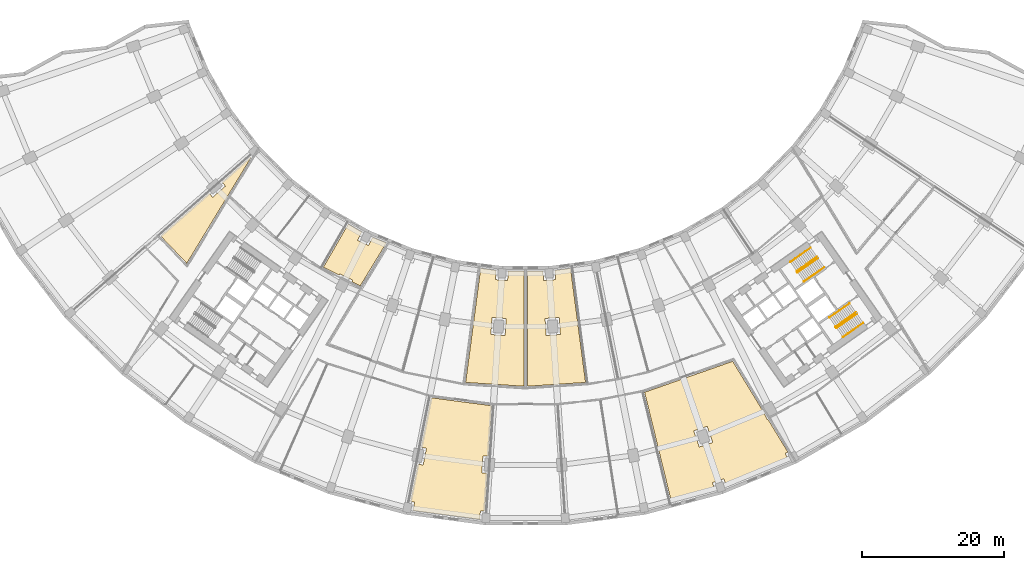
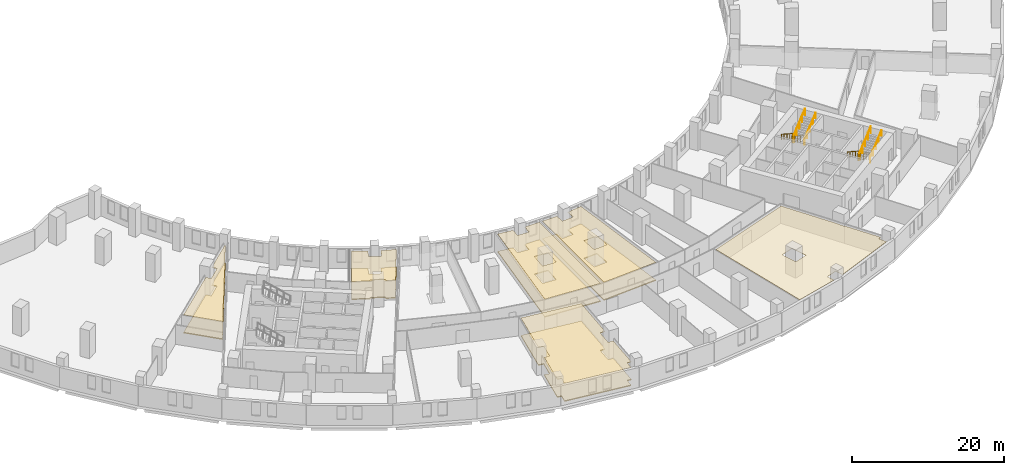
# One storey, part 18 of 20: 11 coverings, 8 railings.
"""IFC4 building model written with IfcOpenShell, lengths in metres."""

from ifc_helpers import new_model, si_unit, direction, frame, origin, origin_2d, place, context, subcontext, project, spatial, polyline, circle, outline, extrude, material, layer, layer_set, type_object, element, save


model = new_model("IFC4")

# Units and contexts
model_context = context("Model", 3, precision=1e-05, world=origin(), true_north=direction((0.0, 1.0)))
body_context = subcontext(model_context, "Body", "Model", "MODEL_VIEW")
ifc_project = project(units=[si_unit("LENGTHUNIT", "METRE"), si_unit("AREAUNIT", "SQUARE_METRE"), si_unit("VOLUMEUNIT", "CUBIC_METRE"), si_unit("PLANEANGLEUNIT", "RADIAN"), si_unit("MASSUNIT", "GRAM", prefix="KILO")], contexts=[model_context])

# Site, building, storey
site_placement = place(None, origin())
site = spatial("IfcSite", under=ifc_project, at=site_placement, CompositionType="ELEMENT")
building_placement = place(site_placement, origin())
building = spatial("IfcBuilding", under=site, at=building_placement, Name="Qamariyya Broadcast Tower", CompositionType="ELEMENT")
storey_placement = place(building_placement, frame((0.0, 0.0, 27.0)))
storey = spatial("IfcBuildingStorey", under=building, at=storey_placement, Name="L03", CompositionType="ELEMENT", Elevation=27.0)

# Coverings
ifc_material_1 = material(Name="Raised access floor")
ifc_layer_1 = layer(ifc_material_1, 0.14990234375)
ifc_layer_set_1 = layer_set([ifc_layer_1], Name="Raised access floor 150")
covering_type_1 = type_object("IfcCoveringType", Name="Raised access floor 150", PredefinedType="FLOORING", material=ifc_layer_set_1)
covering_1_placement = place(storey_placement, origin())
element("IfcCovering", 1, at=covering_1_placement, inside=storey, type_object=covering_type_1, Name="Flooring L03-F01", PredefinedType="FLOORING", context=body_context, shape_type="SweptSolid", body=[
    extrude(outline(polyline([(-5.256103515625, -76.36962890625), (-6.00439453125, -76.32080078125), (-6.161376953125, -78.715576171875), (-5.4130859375, -78.7646484375), (-5.762939453125, -84.103271484375), (-6.361572265625, -84.06396484375), (-6.439697265625, -85.254150390625), (-15.84521484375, -84.015869140625), (-15.612548828125, -82.845947265625), (-16.200927734375, -82.72900390625), (-15.1572265625, -77.481689453125), (-14.421630859375, -77.628173828125), (-13.953369140625, -75.274169921875), (-14.68896484375, -75.1279296875), (-13.30078125, -68.148681640625), (-4.790771484375, -69.26904296875), (-5.256103515625, -76.36962890625)])), origin(), (0.0, 0.0, 1.0), 0.14990234375),
])
covering_2_placement = place(storey_placement, origin())
element("IfcCovering", 2, at=covering_2_placement, inside=storey, type_object=covering_type_1, Name="Flooring L03-F03", PredefinedType="FLOORING", context=body_context, shape_type="SweptSolid", body=[
    extrude(outline(polyline([(-6.3232421875, -49.9453125), (-4.144287109375, -50.232177734375), (-4.2294921875, -51.53369140625), (-2.533203125, -51.64501953125), (-2.44775390625, -50.343505859375), (-0.25, -50.343505859375), (-0.25, -66.532958984375), (-8.4365234375, -65.99658203125), (-6.3232421875, -49.9453125)]), holes=[polyline([(-4.72900390625, -56.862548828125), (-4.885986328125, -59.25732421875), (-2.890380859375, -59.38818359375), (-2.7333984375, -56.9931640625), (-4.72900390625, -56.862548828125)])]), origin(), (0.0, 0.0, 1.0), 0.14990234375),
])
covering_3_placement = place(storey_placement, origin())
element("IfcCovering", 3, at=covering_3_placement, inside=storey, type_object=covering_type_1, Name="Flooring L03-F04", PredefinedType="FLOORING", context=body_context, shape_type="SweptSolid", body=[
    extrude(outline(polyline([(0.25, -50.343505859375), (2.44775390625, -50.343505859375), (2.533203125, -51.64501953125), (4.2294921875, -51.53369140625), (4.144287109375, -50.232177734375), (6.3232421875, -49.9453125), (8.4365234375, -65.99658203125), (0.25, -66.532958984375), (0.25, -50.343505859375)]), holes=[polyline([(2.7333984375, -56.9931640625), (2.890380859375, -59.38818359375), (4.885986328125, -59.25732421875), (4.72900390625, -56.862548828125), (2.7333984375, -56.9931640625)])]), origin(), (0.0, 0.0, 1.0), 0.14990234375),
])
covering_4_placement = place(storey_placement, origin())
element("IfcCovering", 4, at=covering_4_placement, inside=storey, type_object=covering_type_1, Name="Flooring L03-F05", PredefinedType="FLOORING", context=body_context, shape_type="SweptSolid", body=[
    extrude(outline(polyline([(-24.335693359375, -51.60888671875), (-26.12939453125, -50.724365234375), (-26.220703125, -50.9091796875), (-28.451416015625, -49.779296875), (-24.955322265625, -43.7236328125), (-23.0517578125, -44.82275390625), (-23.628662109375, -45.992431640625), (-22.10400390625, -46.744384765625), (-21.527099609375, -45.574462890625), (-19.599609375, -46.373046875), (-23.267578125, -52.405029296875), (-24.436279296875, -51.81298828125), (-24.335693359375, -51.60888671875)])), origin(), (0.0, 0.0, 1.0), 0.14990234375),
])
covering_5_placement = place(storey_placement, origin())
element("IfcCovering", 5, at=covering_5_placement, inside=storey, type_object=covering_type_1, Name="Flooring L03-F06", PredefinedType="FLOORING", context=body_context, shape_type="SweptSolid", body=[
    extrude(outline(polyline([(-51.365478515625, -45.37890625), (-44.531982421875, -39.385986328125), (-44.03759765625, -39.949951171875), (-42.233154296875, -38.367431640625), (-42.7275390625, -37.8037109375), (-38.705322265625, -34.276123046875), (-38.63818359375, -34.3525390625), (-47.67822265625, -49.235107421875), (-51.365478515625, -45.37890625)])), origin(), (0.0, 0.0, 1.0), 0.14990234375),
])

# Railings
ifc_material_2 = material(Name="Painted steel", Category="steel")
railing_type_1 = type_object("IfcRailingType", Name="Stair guard", PredefinedType="GUARDRAIL", material=ifc_material_2)
railing_1_placement = place(storey_placement, frame((41.003173828125, -48.320068359375, 0.173095703125)))
element("IfcRailing", 6, at=railing_1_placement, inside=storey, type_object=railing_type_1, Name="L03 ST-E2 stair guard 1", PredefinedType="GUARDRAIL", context=body_context, shape_type="SweptSolid", body=[
    extrude(circle(Radius=0.02392578125, at=origin_2d()), frame((0.0, 0.0, 1.076171875), z_axis=(-0.703392637411, -0.492543525477, 0.512483827206), x_axis=(0.573594173421, -0.819139624372, 0.0)), (0.0, 0.0, 1.0), 4.052734375),
    extrude(circle(Radius=0.02392578125, at=origin_2d()), frame((-2.8505859375, -1.99609375, 3.15283203125), z_axis=(-0.172799478008, -0.984957024646, 0.0), x_axis=(0.984957024646, -0.172799478008, 0.0)), (0.0, 0.0, 1.0), 0.070556640625),
    extrude(circle(Radius=0.02392578125, at=origin_2d()), frame((-2.86279296875, -2.065673828125, 3.15283203125), z_axis=(0.573353020881, -0.819308436089, 0.0), x_axis=(0.819308436089, 0.573353020881, 0.0)), (0.0, 0.0, 1.0), 0.14990234375),
    extrude(circle(Radius=0.02099609375, at=origin_2d()), origin(), (0.0, 0.0, 1.0), 1.052001953125),
    extrude(circle(Radius=0.02099609375, at=origin_2d()), frame((-0.712646484375, -0.4990234375, 0.519287109375)), (0.0, 0.0, 1.0), 1.052001953125),
    extrude(circle(Radius=0.02099609375, at=origin_2d()), frame((-1.42529296875, -0.998046875, 1.03857421875)), (0.0, 0.0, 1.0), 1.052001953125),
    extrude(circle(Radius=0.02099609375, at=origin_2d()), frame((-2.137939453125, -1.4970703125, 1.5576171875)), (0.0, 0.0, 1.0), 1.052001953125),
    extrude(circle(Radius=0.02099609375, at=origin_2d()), frame((-2.8505859375, -1.99609375, 2.076904296875)), (0.0, 0.0, 1.0), 1.052001953125),
    extrude(circle(Radius=0.02099609375, at=origin_2d()), frame((-2.86279296875, -2.065673828125, 2.076904296875)), (0.0, 0.0, 1.0), 1.052001953125),
    extrude(circle(Radius=0.02099609375, at=origin_2d()), frame((-2.77685546875, -2.1884765625, 2.076904296875)), (0.0, 0.0, 1.0), 1.052001953125),
])
railing_2_placement = place(storey_placement, frame((38.2958984375, -50.52099609375, 2.423095703125)))
element("IfcRailing", 7, at=railing_2_placement, inside=storey, type_object=railing_type_1, Name="L03 ST-E2 stair guard 2", PredefinedType="GUARDRAIL", context=body_context, shape_type="SweptSolid", body=[
    extrude(circle(Radius=0.02392578125, at=origin_2d()), frame((0.0, 0.0, 1.076171875), z_axis=(0.703423072377, 0.49252265477, 0.512462111562), x_axis=(-0.573561211868, 0.819162704376, 0.0)), (0.0, 0.0, 1.0), 4.052734375),
    extrude(circle(Radius=0.02099609375, at=origin_2d()), origin(), (0.0, 0.0, 1.0), 1.052001953125),
    extrude(circle(Radius=0.02099609375, at=origin_2d()), frame((0.712646484375, 0.4990234375, 0.519287109375)), (0.0, 0.0, 1.0), 1.052001953125),
    extrude(circle(Radius=0.02099609375, at=origin_2d()), frame((1.42529296875, 0.998046875, 1.03857421875)), (0.0, 0.0, 1.0), 1.052001953125),
    extrude(circle(Radius=0.02099609375, at=origin_2d()), frame((2.13818359375, 1.4970703125, 1.5576171875)), (0.0, 0.0, 1.0), 1.052001953125),
    extrude(circle(Radius=0.02099609375, at=origin_2d()), frame((2.850830078125, 1.99609375, 2.076904296875)), (0.0, 0.0, 1.0), 1.052001953125),
])
railing_3_placement = place(storey_placement, frame((46.48095703125, -56.14306640625, 0.173095703125)))
element("IfcRailing", 8, at=railing_3_placement, inside=storey, type_object=railing_type_1, Name="L03 ST-E1 stair guard 1", PredefinedType="GUARDRAIL", context=body_context, shape_type="SweptSolid", body=[
    extrude(circle(Radius=0.02392578125, at=origin_2d()), frame((0.0, 0.0, 1.076171875), z_axis=(-0.703413508203, -0.492497895646, 0.512499033426), x_axis=(0.57354709673, -0.81917258733, 0.0)), (0.0, 0.0, 1.0), 4.052490234375),
    extrude(circle(Radius=0.02392578125, at=origin_2d()), frame((-2.8505859375, -1.995849609375, 3.15283203125), z_axis=(-0.175552359694, -0.984470095537, 0.0), x_axis=(0.984470095537, -0.175552359694, 0.0)), (0.0, 0.0, 1.0), 0.071044921875),
    extrude(circle(Radius=0.02392578125, at=origin_2d()), frame((-2.863037109375, -2.065673828125, 3.15283203125), z_axis=(0.574444878118, -0.818543268254, 0.0), x_axis=(0.818543268254, 0.574444878118, 0.0)), (0.0, 0.0, 1.0), 0.150146484375),
    extrude(circle(Radius=0.02099609375, at=origin_2d()), origin(), (0.0, 0.0, 1.0), 1.052001953125),
    extrude(circle(Radius=0.02099609375, at=origin_2d()), frame((-0.712646484375, -0.4990234375, 0.519287109375)), (0.0, 0.0, 1.0), 1.052001953125),
    extrude(circle(Radius=0.02099609375, at=origin_2d()), frame((-1.42529296875, -0.998046875, 1.03857421875)), (0.0, 0.0, 1.0), 1.052001953125),
    extrude(circle(Radius=0.02099609375, at=origin_2d()), frame((-2.137939453125, -1.496826171875, 1.5576171875)), (0.0, 0.0, 1.0), 1.052001953125),
    extrude(circle(Radius=0.02099609375, at=origin_2d()), frame((-2.8505859375, -1.995849609375, 2.076904296875)), (0.0, 0.0, 1.0), 1.052001953125),
    extrude(circle(Radius=0.02099609375, at=origin_2d()), frame((-2.863037109375, -2.065673828125, 2.076904296875)), (0.0, 0.0, 1.0), 1.052001953125),
    extrude(circle(Radius=0.02099609375, at=origin_2d()), frame((-2.77685546875, -2.1884765625, 2.076904296875)), (0.0, 0.0, 1.0), 1.052001953125),
])
railing_4_placement = place(storey_placement, frame((43.773681640625, -58.34375, 2.423095703125)))
element("IfcRailing", 9, at=railing_4_placement, inside=storey, type_object=railing_type_1, Name="L03 ST-E1 stair guard 2", PredefinedType="GUARDRAIL", context=body_context, shape_type="SweptSolid", body=[
    extrude(circle(Radius=0.02392578125, at=origin_2d()), frame((0.0, 0.0, 1.076171875), z_axis=(0.703392637411, 0.492543525477, 0.512483827206), x_axis=(-0.573594173421, 0.819139624372, 0.0)), (0.0, 0.0, 1.0), 4.052734375),
    extrude(circle(Radius=0.02099609375, at=origin_2d()), origin(), (0.0, 0.0, 1.0), 1.052001953125),
    extrude(circle(Radius=0.02099609375, at=origin_2d()), frame((0.712646484375, 0.4990234375, 0.519287109375)), (0.0, 0.0, 1.0), 1.052001953125),
    extrude(circle(Radius=0.02099609375, at=origin_2d()), frame((1.42529296875, 0.998046875, 1.03857421875)), (0.0, 0.0, 1.0), 1.052001953125),
    extrude(circle(Radius=0.02099609375, at=origin_2d()), frame((2.137939453125, 1.4970703125, 1.5576171875)), (0.0, 0.0, 1.0), 1.052001953125),
    extrude(circle(Radius=0.02099609375, at=origin_2d()), frame((2.8505859375, 1.99609375, 2.076904296875)), (0.0, 0.0, 1.0), 1.052001953125),
])
ifc_material_3 = material(Name="Stainless steel", Category="steel")
railing_type_2 = type_object("IfcRailingType", Name="Stair handrail", PredefinedType="HANDRAIL", material=ifc_material_3)
railing_5_placement = place(storey_placement, frame((40.1142578125, -47.05029296875, 0.173095703125)))
element("IfcRailing", 10, at=railing_5_placement, inside=storey, type_object=railing_type_2, Name="L03 ST-E2 stair handrail 1", PredefinedType="HANDRAIL", context=body_context, shape_type="SweptSolid", body=[
    extrude(circle(Radius=0.02392578125, at=origin_2d()), frame((0.0, 0.0, 0.8759765625), z_axis=(-0.703392637411, -0.492543525477, 0.512483827206), x_axis=(0.573594173421, -0.819139624372, 0.0)), (0.0, 0.0, 1.0), 4.052734375),
    extrude(circle(Radius=0.02099609375, at=origin_2d()), origin(), (0.0, 0.0, 1.0), 0.851806640625),
    extrude(circle(Radius=0.02099609375, at=origin_2d()), frame((-0.712646484375, -0.4990234375, 0.519287109375)), (0.0, 0.0, 1.0), 0.851806640625),
    extrude(circle(Radius=0.02099609375, at=origin_2d()), frame((-1.42529296875, -0.998046875, 1.03857421875)), (0.0, 0.0, 1.0), 0.851806640625),
    extrude(circle(Radius=0.02099609375, at=origin_2d()), frame((-2.137939453125, -1.4970703125, 1.5576171875)), (0.0, 0.0, 1.0), 0.851806640625),
    extrude(circle(Radius=0.02099609375, at=origin_2d()), frame((-2.8505859375, -1.99609375, 2.076904296875)), (0.0, 0.0, 1.0), 0.851806640625),
])
railing_6_placement = place(storey_placement, frame((39.18505859375, -51.79052734375, 2.423095703125)))
element("IfcRailing", 11, at=railing_6_placement, inside=storey, type_object=railing_type_2, Name="L03 ST-E2 stair handrail 2", PredefinedType="HANDRAIL", context=body_context, shape_type="SweptSolid", body=[
    extrude(circle(Radius=0.02392578125, at=origin_2d()), frame((0.0, 0.0, 0.8759765625), z_axis=(0.703392637411, 0.492543525477, 0.512483827206), x_axis=(-0.573594173421, 0.819139624372, 0.0)), (0.0, 0.0, 1.0), 4.052734375),
    extrude(circle(Radius=0.02099609375, at=origin_2d()), origin(), (0.0, 0.0, 1.0), 0.851806640625),
    extrude(circle(Radius=0.02099609375, at=origin_2d()), frame((0.712646484375, 0.4990234375, 0.519287109375)), (0.0, 0.0, 1.0), 0.851806640625),
    extrude(circle(Radius=0.02099609375, at=origin_2d()), frame((1.42529296875, 0.998046875, 1.03857421875)), (0.0, 0.0, 1.0), 0.851806640625),
    extrude(circle(Radius=0.02099609375, at=origin_2d()), frame((2.137939453125, 1.4970703125, 1.5576171875)), (0.0, 0.0, 1.0), 0.851806640625),
    extrude(circle(Radius=0.02099609375, at=origin_2d()), frame((2.8505859375, 1.99609375, 2.076904296875)), (0.0, 0.0, 1.0), 0.851806640625),
])
railing_7_placement = place(storey_placement, frame((45.591796875, -54.873291015625, 0.173095703125)))
element("IfcRailing", 12, at=railing_7_placement, inside=storey, type_object=railing_type_2, Name="L03 ST-E1 stair handrail 1", PredefinedType="HANDRAIL", context=body_context, shape_type="SweptSolid", body=[
    extrude(circle(Radius=0.02392578125, at=origin_2d()), frame((0.0, 0.0, 0.8759765625), z_axis=(-0.703392637411, -0.492543525477, 0.512483827206), x_axis=(0.573594173421, -0.819139624372, 0.0)), (0.0, 0.0, 1.0), 4.052734375),
    extrude(circle(Radius=0.02099609375, at=origin_2d()), origin(), (0.0, 0.0, 1.0), 0.851806640625),
    extrude(circle(Radius=0.02099609375, at=origin_2d()), frame((-0.712646484375, -0.4990234375, 0.519287109375)), (0.0, 0.0, 1.0), 0.851806640625),
    extrude(circle(Radius=0.02099609375, at=origin_2d()), frame((-1.42529296875, -0.998046875, 1.03857421875)), (0.0, 0.0, 1.0), 0.851806640625),
    extrude(circle(Radius=0.02099609375, at=origin_2d()), frame((-2.137939453125, -1.4970703125, 1.5576171875)), (0.0, 0.0, 1.0), 0.851806640625),
    extrude(circle(Radius=0.02099609375, at=origin_2d()), frame((-2.8505859375, -1.99609375, 2.076904296875)), (0.0, 0.0, 1.0), 0.851806640625),
])
railing_8_placement = place(storey_placement, frame((44.66259765625, -59.613525390625, 2.423095703125)))
element("IfcRailing", 13, at=railing_8_placement, inside=storey, type_object=railing_type_2, Name="L03 ST-E1 stair handrail 2", PredefinedType="HANDRAIL", context=body_context, shape_type="SweptSolid", body=[
    extrude(circle(Radius=0.02392578125, at=origin_2d()), frame((0.0, 0.0, 0.8759765625), z_axis=(0.703423072377, 0.49252265477, 0.512462111562), x_axis=(-0.573561211868, 0.819162704376, 0.0)), (0.0, 0.0, 1.0), 4.052734375),
    extrude(circle(Radius=0.02099609375, at=origin_2d()), origin(), (0.0, 0.0, 1.0), 0.851806640625),
    extrude(circle(Radius=0.02099609375, at=origin_2d()), frame((0.712646484375, 0.4990234375, 0.519287109375)), (0.0, 0.0, 1.0), 0.851806640625),
    extrude(circle(Radius=0.02099609375, at=origin_2d()), frame((1.42529296875, 0.998046875, 1.03857421875)), (0.0, 0.0, 1.0), 0.851806640625),
    extrude(circle(Radius=0.02099609375, at=origin_2d()), frame((2.13818359375, 1.4970703125, 1.5576171875)), (0.0, 0.0, 1.0), 0.851806640625),
    extrude(circle(Radius=0.02099609375, at=origin_2d()), frame((2.850830078125, 1.99609375, 2.076904296875)), (0.0, 0.0, 1.0), 0.851806640625),
])

# Coverings
ifc_material_4 = material(Name="Perforated plasterboard ceiling")
ifc_layer_2 = layer(ifc_material_4, 0.06005859375)
ifc_layer_set_2 = layer_set([ifc_layer_2], Name="Suspended acoustic ceiling 60")
covering_type_2 = type_object("IfcCoveringType", Name="Suspended acoustic ceiling 60", PredefinedType="CEILING", material=ifc_layer_set_2)
covering_6_placement = place(storey_placement, frame((0.0, 0.0, 2.889892578125)))
element("IfcCovering", 14, at=covering_6_placement, inside=storey, type_object=covering_type_2, Name="Ceiling L03-C01", PredefinedType="CEILING", context=body_context, shape_type="SweptSolid", body=[
    extrude(outline(polyline([(-5.256103515625, -76.36962890625), (-6.00439453125, -76.32080078125), (-6.161376953125, -78.715576171875), (-5.4130859375, -78.7646484375), (-5.762939453125, -84.103271484375), (-6.361572265625, -84.06396484375), (-6.439697265625, -85.254150390625), (-15.84521484375, -84.015869140625), (-15.612548828125, -82.845947265625), (-16.200927734375, -82.72900390625), (-15.1572265625, -77.481689453125), (-14.421630859375, -77.628173828125), (-13.953369140625, -75.274169921875), (-14.68896484375, -75.1279296875), (-13.30078125, -68.148681640625), (-4.790771484375, -69.26904296875), (-5.256103515625, -76.36962890625)])), origin(), (0.0, 0.0, 1.0), 0.06005859375),
])
covering_7_placement = place(storey_placement, frame((0.0, 0.0, 2.889892578125)))
element("IfcCovering", 15, at=covering_7_placement, inside=storey, type_object=covering_type_2, Name="Ceiling L03-C02", PredefinedType="CEILING", context=body_context, shape_type="SweptSolid", body=[
    extrude(outline(polyline([(33.504638671875, -70.20166015625), (34.021728515625, -71.25048828125), (34.114501953125, -71.20458984375), (36.9052734375, -75.793701171875), (36.522705078125, -75.982421875), (37.050048828125, -77.052001953125), (28.28564453125, -80.682373046875), (27.90234375, -79.552978515625), (26.29248046875, -80.099365234375), (26.67578125, -81.22900390625), (20.5341796875, -82.87451171875), (16.74267578125, -67.3779296875), (29.13720703125, -63.01953125), (33.504638671875, -70.20166015625)]), holes=[polyline([(24.4306640625, -75.08154296875), (26.324462890625, -74.438720703125), (25.55322265625, -72.166015625), (23.6591796875, -72.808837890625), (24.4306640625, -75.08154296875)])]), origin(), (0.0, 0.0, 1.0), 0.06005859375),
])
covering_8_placement = place(storey_placement, frame((0.0, 0.0, 2.889892578125)))
element("IfcCovering", 16, at=covering_8_placement, inside=storey, type_object=covering_type_2, Name="Ceiling L03-C04", PredefinedType="CEILING", context=body_context, shape_type="SweptSolid", body=[
    extrude(outline(polyline([(-6.3232421875, -49.9453125), (-4.144287109375, -50.232177734375), (-4.2294921875, -51.53369140625), (-2.533203125, -51.64501953125), (-2.44775390625, -50.343505859375), (-0.25, -50.343505859375), (-0.25, -66.532958984375), (-8.4365234375, -65.99658203125), (-6.3232421875, -49.9453125)]), holes=[polyline([(-4.72900390625, -56.862548828125), (-4.885986328125, -59.25732421875), (-2.890380859375, -59.38818359375), (-2.7333984375, -56.9931640625), (-4.72900390625, -56.862548828125)])]), origin(), (0.0, 0.0, 1.0), 0.06005859375),
])
covering_9_placement = place(storey_placement, frame((0.0, 0.0, 2.889892578125)))
element("IfcCovering", 17, at=covering_9_placement, inside=storey, type_object=covering_type_2, Name="Ceiling L03-C05", PredefinedType="CEILING", context=body_context, shape_type="SweptSolid", body=[
    extrude(outline(polyline([(0.25, -50.343505859375), (2.44775390625, -50.343505859375), (2.533203125, -51.64501953125), (4.2294921875, -51.53369140625), (4.144287109375, -50.232177734375), (6.3232421875, -49.9453125), (8.4365234375, -65.99658203125), (0.25, -66.532958984375), (0.25, -50.343505859375)]), holes=[polyline([(2.7333984375, -56.9931640625), (2.890380859375, -59.38818359375), (4.885986328125, -59.25732421875), (4.72900390625, -56.862548828125), (2.7333984375, -56.9931640625)])]), origin(), (0.0, 0.0, 1.0), 0.06005859375),
])
covering_10_placement = place(storey_placement, frame((0.0, 0.0, 2.889892578125)))
element("IfcCovering", 18, at=covering_10_placement, inside=storey, type_object=covering_type_2, Name="Ceiling L03-C06", PredefinedType="CEILING", context=body_context, shape_type="SweptSolid", body=[
    extrude(outline(polyline([(-24.335693359375, -51.60888671875), (-26.12939453125, -50.724365234375), (-26.220703125, -50.9091796875), (-28.451416015625, -49.779296875), (-24.955322265625, -43.7236328125), (-23.0517578125, -44.82275390625), (-23.628662109375, -45.992431640625), (-22.10400390625, -46.744384765625), (-21.527099609375, -45.574462890625), (-19.599609375, -46.373046875), (-23.267578125, -52.405029296875), (-24.436279296875, -51.81298828125), (-24.335693359375, -51.60888671875)])), origin(), (0.0, 0.0, 1.0), 0.06005859375),
])
covering_11_placement = place(storey_placement, frame((0.0, 0.0, 2.889892578125)))
element("IfcCovering", 19, at=covering_11_placement, inside=storey, type_object=covering_type_2, Name="Ceiling L03-C07", PredefinedType="CEILING", context=body_context, shape_type="SweptSolid", body=[
    extrude(outline(polyline([(-51.365478515625, -45.37890625), (-44.531982421875, -39.385986328125), (-44.03759765625, -39.949951171875), (-42.233154296875, -38.367431640625), (-42.7275390625, -37.8037109375), (-38.705322265625, -34.276123046875), (-38.63818359375, -34.3525390625), (-47.67822265625, -49.235107421875), (-51.365478515625, -45.37890625)])), origin(), (0.0, 0.0, 1.0), 0.06005859375),
])

save(model, "model.ifc")
